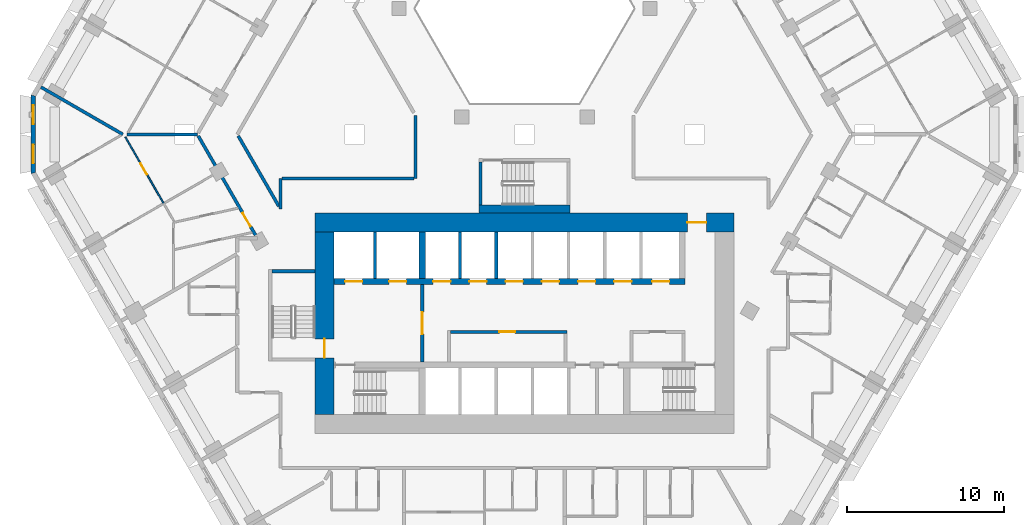
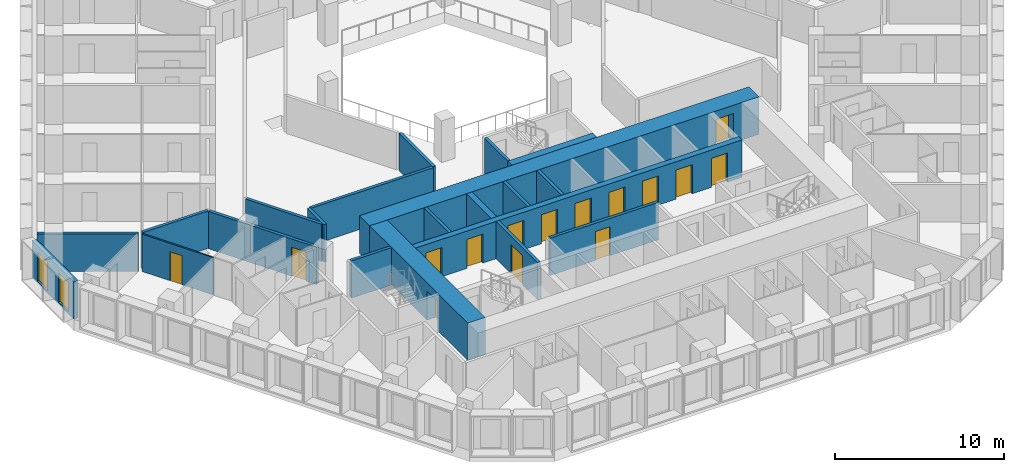
# One storey, part 5 of 21: 21 walls, 15 doors, 2 windows, 17 openings.
"""IFC4 building model written with IfcOpenShell, lengths in metres."""

from ifc_helpers import new_model, si_unit, direction, frame, frame_2d, origin, place, context, subcontext, project, spatial, polyline, rectangle, outline, extrude, material, layer, layer_set, type_object, element, fill, save


model = new_model("IFC4")

# Units and contexts
model_context = context("Model", 3, precision=1e-05, world=origin(), true_north=direction((0.0, 1.0)))
body_context = subcontext(model_context, "Body", "Model", "MODEL_VIEW")
ifc_project = project(units=[si_unit("LENGTHUNIT", "METRE"), si_unit("AREAUNIT", "SQUARE_METRE"), si_unit("VOLUMEUNIT", "CUBIC_METRE"), si_unit("PLANEANGLEUNIT", "RADIAN"), si_unit("MASSUNIT", "GRAM", prefix="KILO")], contexts=[model_context])

# Site, building, storey
site_placement = place(None, origin())
site = spatial("IfcSite", under=ifc_project, at=site_placement, CompositionType="ELEMENT")
building_placement = place(site_placement, origin())
building = spatial("IfcBuilding", under=site, at=building_placement, Name="Beryl Residences", CompositionType="ELEMENT")
storey_placement = place(building_placement, frame((0.0, 0.0, 23.39990234375)))
storey = spatial("IfcBuildingStorey", under=building, at=storey_placement, Name="L06", CompositionType="ELEMENT", Elevation=23.39990234375)

# Wall, openings, windows
ifc_material_1 = material(Name="Composite metal panel with mineral wool insulation")
ifc_layer_1 = layer(ifc_material_1, 0.300048828125)
ifc_layer_set_1 = layer_set([ifc_layer_1], Name="ES1 pale metal composite panel wall 300 mm")
wall_type_1 = type_object("IfcWallType", Name="ES1 pale metal composite panel wall 300 mm", PredefinedType="SOLIDWALL", material=ifc_layer_set_1)
wall_1_placement = place(storey_placement, frame((-31.199951171875, 2.5, 0.0), z_axis=(0.0, 0.0, 1.0), x_axis=(0.0, -1.0, 0.0)))
wall_1 = element("IfcWall", 1, at=wall_1_placement, inside=storey, type_object=wall_type_1, Name="ES1 external wall L06 NW-SW", PredefinedType="SOLIDWALL", context=body_context, shape_type="SweptSolid", body=[
    extrude(outline(polyline([(0.0, -0.14990234375), (5.0, -0.14990234375), (4.919677734375, 0.14990234375), (0.080322265625, 0.14990234375), (0.0, -0.14990234375)])), origin(), (0.0, 0.0, 1.0), 2.7001953125),
])
opening_1_placement = place(wall_1_placement, frame((0.64990234375, 0.0, 0.14990234375)))
opening_1 = element("IfcOpeningElement", 2, at=opening_1_placement, cuts=wall_1, Name="Opening W2", PredefinedType="OPENING", context=body_context, shape_type="SweptSolid", body=[
    extrude(rectangle(XDim=1.199951171875, YDim=2.10009765625, at=frame_2d((0.60009765625, 1.050048828125))), frame((0.0, 0.159912109375, 0.0), z_axis=(0.0, -1.0, 0.0), x_axis=(1.0, 0.0, 0.0)), (0.0, 0.0, 1.0), 0.320068359375),
])
opening_2_placement = place(wall_1_placement, frame((3.14990234375, 0.0, 0.14990234375)))
opening_2 = element("IfcOpeningElement", 3, at=opening_2_placement, cuts=wall_1, Name="Opening W2", PredefinedType="OPENING", context=body_context, shape_type="SweptSolid", body=[
    extrude(rectangle(XDim=1.199951171875, YDim=2.10009765625, at=frame_2d((0.60009765625, 1.050048828125))), frame((0.0, 0.159912109375, 0.0), z_axis=(0.0, -1.0, 0.0), x_axis=(1.0, 0.0, 0.0)), (0.0, 0.0, 1.0), 0.320068359375),
])
ifc_material_2 = material(Name="Aluminium and clear glass", Category="aluminium")
window_type = type_object("IfcWindowType", Name="W2 chamfer window 1200 x 2100 mm", PartitioningType="SINGLE_PANEL", PredefinedType="WINDOW", material=ifc_material_2)
window_1_placement = place(opening_1_placement, origin())
window_1 = element("IfcWindow", 4, at=window_1_placement, inside=storey, type_object=window_type, Name="W2 window L06 NW-SW 1", OverallHeight=2.10009765625, OverallWidth=1.199951171875, PartitioningType="SINGLE_PANEL", PredefinedType="WINDOW", context=body_context, shape_type="SweptSolid", body=[
    extrude(rectangle(XDim=1.199951171875, YDim=2.10009765625, at=frame_2d((0.60009765625, 1.050048828125))), frame((0.0, 0.030029296875, 0.0), z_axis=(0.0, -1.0, 0.0), x_axis=(1.0, 0.0, 0.0)), (0.0, 0.0, 1.0), 0.06005859375),
])
fill(opening_1, window_1)
window_2_placement = place(opening_2_placement, origin())
window_2 = element("IfcWindow", 5, at=window_2_placement, inside=storey, type_object=window_type, Name="W2 window L06 NW-SW 2", OverallHeight=2.10009765625, OverallWidth=1.199951171875, PartitioningType="SINGLE_PANEL", PredefinedType="WINDOW", context=body_context, shape_type="SweptSolid", body=[
    extrude(rectangle(XDim=1.199951171875, YDim=2.10009765625, at=frame_2d((0.60009765625, 1.050048828125))), frame((0.0, 0.030029296875, 0.0), z_axis=(0.0, -1.0, 0.0), x_axis=(1.0, 0.0, 0.0)), (0.0, 0.0, 1.0), 0.06005859375),
])
fill(opening_2, window_2)

# Wall, opening, door
ifc_material_3 = material(Name="Gypsum board partition on steel studs", Category="steel")
ifc_layer_2 = layer(ifc_material_3, 0.10009765625)
ifc_layer_set_2 = layer_set([ifc_layer_2], Name="PT1 partition 100 mm gypsum board on steel studs")
wall_type_2 = type_object("IfcWallType", Name="PT1 partition 100 mm gypsum board on steel studs", PredefinedType="PARTITIONING", material=ifc_layer_set_2)
wall_2_placement = place(storey_placement, frame((-25.35791015625, -0.174072265625, 0.0), z_axis=(0.0, 0.0, 1.0), x_axis=(0.500093956194, -0.865971151354, 0.0)))
wall_2 = element("IfcWall", 6, at=wall_2_placement, inside=storey, type_object=wall_type_2, Name="Wall PT1 L06 002", PredefinedType="PARTITIONING", context=body_context, shape_type="SweptSolid", body=[
    extrude(rectangle(XDim=4.873046875, YDim=0.10009765625, at=frame_2d((2.4365234375, 0.0))), origin(), (0.0, 0.0, 1.0), 2.7001953125),
])
opening_3_placement = place(wall_2_placement, frame((1.93701171875, 0.0, 0.0)))
opening_3 = element("IfcOpeningElement", 7, at=opening_3_placement, cuts=wall_2, Name="Opening D0175", PredefinedType="OPENING", context=body_context, shape_type="SweptSolid", body=[
    extrude(rectangle(XDim=0.800048828125, YDim=2.10009765625, at=frame_2d((0.39990234375, 1.050048828125))), frame((0.0, 0.06005859375, 0.0), z_axis=(0.0, -1.0, 0.0), x_axis=(1.0, 0.0, 0.0)), (0.0, 0.0, 1.0), 0.1201171875),
])
ifc_material_4 = material(Name="Timber door leaf", Category="wood")
door_type_1 = type_object("IfcDoorType", Name="D3 bathroom door 800 x 2100 mm", OperationType="SINGLE_SWING_LEFT", PredefinedType="DOOR", material=ifc_material_4)
door_1_placement = place(opening_3_placement, origin())
door_1 = element("IfcDoor", 8, at=door_1_placement, inside=storey, type_object=door_type_1, Name="Door D0175 L06 001", OperationType="SINGLE_SWING_LEFT", OverallHeight=2.10009765625, OverallWidth=0.800048828125, PredefinedType="DOOR", context=body_context, shape_type="SweptSolid", body=[
    extrude(rectangle(XDim=0.800048828125, YDim=2.10009765625, at=frame_2d((0.39990234375, 1.050048828125))), frame((0.0, 0.02490234375, 0.0), z_axis=(0.0, -1.0, 0.0), x_axis=(1.0, 0.0, 0.0)), (0.0, 0.0, 1.0), 0.050048828125),
])
fill(opening_3, door_1)

ifc_material_5 = material(Name="Concrete masonry", Category="masonry")
ifc_layer_3 = layer(ifc_material_5, 0.199951171875)
ifc_layer_set_3 = layer_set([ifc_layer_3], Name="PT13 lobby wall 200 mm")
wall_type_3 = type_object("IfcWallType", Name="PT13 lobby wall 200 mm", PredefinedType="PARTITIONING", material=ifc_layer_set_3)
wall_3_placement = place(storey_placement, frame((-6.5, -14.449951171875, 0.0), z_axis=(0.0, 0.0, 1.0), x_axis=(0.0, 1.0, 0.0)))
wall_3 = element("IfcWall", 9, at=wall_3_placement, inside=storey, type_object=wall_type_3, Name="Lobby wall 06", PredefinedType="PARTITIONING", context=body_context, shape_type="SweptSolid", body=[
    extrude(rectangle(XDim=4.89990234375, YDim=0.199951171875, at=frame_2d((2.449951171875, 0.0))), origin(), (0.0, 0.0, 1.0), 2.7001953125),
])
opening_4_placement = place(wall_3_placement, frame((3.14990234375, 0.0, 0.0), z_axis=(0.0, 0.0, 1.0), x_axis=(-1.0, 0.0, 0.0)))
opening_4 = element("IfcOpeningElement", 10, at=opening_4_placement, cuts=wall_3, Name="Opening FD-FFL", PredefinedType="OPENING", context=body_context, shape_type="SweptSolid", body=[
    extrude(rectangle(XDim=1.39990234375, YDim=2.10009765625, at=frame_2d((0.699951171875, 1.050048828125))), frame((0.0, 0.10986328125, 0.0), z_axis=(0.0, -1.0, 0.0), x_axis=(1.0, 0.0, 0.0)), (0.0, 0.0, 1.0), 0.219970703125),
])
ifc_material_6 = material(Name="Steel door leaf in steel frame", Category="steel")
door_type_2 = type_object("IfcDoorType", Name="D5 lobby door 1400 x 2100 mm", OperationType="DOUBLE_DOOR_SINGLE_SWING", PredefinedType="DOOR", material=ifc_material_6)
door_2_placement = place(opening_4_placement, origin())
door_2 = element("IfcDoor", 11, at=door_2_placement, inside=storey, type_object=door_type_2, Name="Door FD-FFL L06 001", OperationType="DOUBLE_DOOR_SINGLE_SWING", OverallHeight=2.10009765625, OverallWidth=1.39990234375, PredefinedType="DOOR", context=body_context, shape_type="SweptSolid", body=[
    extrude(rectangle(XDim=1.39990234375, YDim=2.10009765625, at=frame_2d((0.699951171875, 1.050048828125))), frame((0.0, 0.02490234375, 0.0), z_axis=(0.0, -1.0, 0.0), x_axis=(1.0, 0.0, 0.0)), (0.0, 0.0, 1.0), 0.050048828125),
])
fill(opening_4, door_2)

wall_4_placement = place(storey_placement, frame((-4.699951171875, -12.550048828125, 0.0), z_axis=(0.0, 0.0, 1.0), x_axis=(1.0, 0.0, 0.0)))
wall_4 = element("IfcWall", 12, at=wall_4_placement, inside=storey, type_object=wall_type_3, Name="Lobby wall 08", PredefinedType="PARTITIONING", context=body_context, shape_type="SweptSolid", body=[
    extrude(rectangle(XDim=7.39990234375, YDim=0.199951171875, at=frame_2d((3.699951171875, 0.0))), origin(), (0.0, 0.0, 1.0), 2.7001953125),
])
opening_5_placement = place(wall_4_placement, frame((4.10009765625, 0.0, 0.0), z_axis=(0.0, 0.0, 1.0), x_axis=(-1.0, 0.0, 0.0)))
opening_5 = element("IfcOpeningElement", 13, at=opening_5_placement, cuts=wall_4, Name="Opening CD-D-A1", PredefinedType="OPENING", context=body_context, shape_type="SweptSolid", body=[
    extrude(rectangle(XDim=1.0, YDim=2.10009765625, at=frame_2d((0.5, 1.050048828125))), frame((0.0, 0.10986328125, 0.0), z_axis=(0.0, -1.0, 0.0), x_axis=(1.0, 0.0, 0.0)), (0.0, 0.0, 1.0), 0.219970703125),
])
ifc_material_7 = material(Name="Steel door leaf in steel frame", Category="steel")
door_type_3 = type_object("IfcDoorType", Name="D18 service room door 1000 x 2100 mm", OperationType="SINGLE_SWING_LEFT", PredefinedType="DOOR", material=ifc_material_7)
door_3_placement = place(opening_5_placement, origin())
door_3 = element("IfcDoor", 14, at=door_3_placement, inside=storey, type_object=door_type_3, Name="Door CD-D-A1 L06 001", OperationType="SINGLE_SWING_RIGHT", OverallHeight=2.10009765625, OverallWidth=1.0, PredefinedType="DOOR", context=body_context, shape_type="SweptSolid", body=[
    extrude(rectangle(XDim=1.0, YDim=2.10009765625, at=frame_2d((0.5, 1.050048828125))), frame((0.0, 0.02490234375, 0.0), z_axis=(0.0, -1.0, 0.0), x_axis=(1.0, 0.0, 0.0)), (0.0, 0.0, 1.0), 0.050048828125),
])
fill(opening_5, door_3)

# Walls
ifc_material_8 = material(Name="Acoustic double stud gypsum board wall")
ifc_layer_4 = layer(ifc_material_8, 0.199951171875)
ifc_layer_set_4 = layer_set([ifc_layer_4], Name="PT3 party wall 200 mm acoustic double stud")
wall_type_4 = type_object("IfcWallType", Name="PT3 party wall 200 mm acoustic double stud", PredefinedType="PARTITIONING", material=ifc_layer_set_4)
wall_5_placement = place(storey_placement, frame((-30.716064453125, 2.9990234375, 0.0), z_axis=(0.0, 0.0, 1.0), x_axis=(0.866020924479, -0.500007758305, 0.0)))
element("IfcWall", 15, at=wall_5_placement, inside=storey, type_object=wall_type_4, Name="Wall PT3 L06 009", PredefinedType="PARTITIONING", context=body_context, shape_type="SweptSolid", body=[
    extrude(rectangle(XDim=6.0, YDim=0.199951171875, at=frame_2d((3.0, 0.0))), origin(), (0.0, 0.0, 1.0), 2.7001953125),
])
wall_6_placement = place(storey_placement, frame((-25.258056640625, -0.0009765625, 0.0), z_axis=(0.0, 0.0, 1.0), x_axis=(1.0, 0.0, 0.0)))
element("IfcWall", 16, at=wall_6_placement, inside=storey, type_object=wall_type_4, Name="Wall PT3 L06 013", PredefinedType="PARTITIONING", context=body_context, shape_type="SweptSolid", body=[
    extrude(rectangle(XDim=4.47412109375, YDim=0.199951171875, at=frame_2d((2.237060546875, 0.0))), origin(), (0.0, 0.0, 1.0), 2.7001953125),
])
ifc_material_9 = material(Name="Double stud gypsum board wall")
ifc_layer_5 = layer(ifc_material_9, 0.199951171875)
ifc_layer_set_5 = layer_set([ifc_layer_5], Name="PT4 corridor wall 200 mm double stud")
wall_type_5 = type_object("IfcWallType", Name="PT4 corridor wall 200 mm double stud", PredefinedType="PARTITIONING", material=ifc_layer_set_5)
wall_7_placement = place(storey_placement, frame((-18.18603515625, -0.10107421875, 0.0), z_axis=(0.0, 0.0, 1.0), x_axis=(0.499997591167, -0.86602679452, 0.0)))
element("IfcWall", 17, at=wall_7_placement, inside=storey, type_object=wall_type_5, Name="Wall PT4 L06 002", PredefinedType="PARTITIONING", context=body_context, shape_type="SweptSolid", body=[
    extrude(rectangle(XDim=5.171875, YDim=0.199951171875, at=frame_2d((2.5859375, 0.0))), origin(), (0.0, 0.0, 1.0), 2.7001953125),
])

# Wall, opening, door
wall_8_placement = place(storey_placement, frame((-20.72705078125, -0.10107421875, 0.0), z_axis=(0.0, 0.0, 1.0), x_axis=(0.500065652488, -0.865987495984, 0.0)))
wall_8 = element("IfcWall", 18, at=wall_8_placement, inside=storey, type_object=wall_type_5, Name="Wall PT4 L06 003", PredefinedType="PARTITIONING", context=body_context, shape_type="SweptSolid", body=[
    extrude(rectangle(XDim=7.38916015625, YDim=0.199951171875, at=frame_2d((3.694580078125, 0.0))), origin(), (0.0, 0.0, 1.0), 2.7001953125),
])
opening_6_placement = place(wall_8_placement, frame((5.654052734375, 0.0, 0.0)))
opening_6 = element("IfcOpeningElement", 19, at=opening_6_placement, cuts=wall_8, Name="Opening D0169", PredefinedType="OPENING", context=body_context, shape_type="SweptSolid", body=[
    extrude(rectangle(XDim=1.0, YDim=2.10009765625, at=frame_2d((0.5, 1.050048828125))), frame((0.0, 0.10986328125, 0.0), z_axis=(0.0, -1.0, 0.0), x_axis=(1.0, 0.0, 0.0)), (0.0, 0.0, 1.0), 0.219970703125),
])
ifc_material_10 = material(Name="Timber door leaf", Category="wood")
door_type_4 = type_object("IfcDoorType", Name="D1 flat entrance door 1000 x 2100 mm", OperationType="SINGLE_SWING_LEFT", PredefinedType="DOOR", material=ifc_material_10)
door_4_placement = place(opening_6_placement, origin())
door_4 = element("IfcDoor", 20, at=door_4_placement, inside=storey, type_object=door_type_4, Name="Door D0169 L06 001", OperationType="SINGLE_SWING_LEFT", OverallHeight=2.10009765625, OverallWidth=1.0, PredefinedType="DOOR", context=body_context, shape_type="SweptSolid", body=[
    extrude(rectangle(XDim=1.0, YDim=2.10009765625, at=frame_2d((0.5, 1.050048828125))), frame((0.0, 0.02490234375, 0.0), z_axis=(0.0, -1.0, 0.0), x_axis=(1.0, 0.0, 0.0)), (0.0, 0.0, 1.0), 0.050048828125),
])
fill(opening_6, door_4)

# Walls
wall_9_placement = place(storey_placement, frame((-15.39990234375, -2.800048828125, 0.0), z_axis=(0.0, 0.0, 1.0), x_axis=(1.0, 0.0, 0.0)))
element("IfcWall", 21, at=wall_9_placement, inside=storey, type_object=wall_type_5, Name="Wall PT4 L06 013", PredefinedType="PARTITIONING", context=body_context, shape_type="SweptSolid", body=[
    extrude(rectangle(XDim=8.371826171875, YDim=0.199951171875, at=frame_2d((4.18603515625, 0.0))), origin(), (0.0, 0.0, 1.0), 2.7001953125),
])
wall_10_placement = place(storey_placement, frame((-6.927978515625, -2.800048828125, 0.0), z_axis=(0.0, 0.0, 1.0), x_axis=(0.0, 1.0, 0.0)))
element("IfcWall", 22, at=wall_10_placement, inside=storey, type_object=wall_type_5, Name="Wall PT4 L06 029", PredefinedType="PARTITIONING", context=body_context, shape_type="SweptSolid", body=[
    extrude(rectangle(XDim=4.0, YDim=0.199951171875, at=frame_2d((2.0, 0.0))), origin(), (0.0, 0.0, 1.0), 2.7001953125),
])
wall_11_placement = place(storey_placement, frame((-15.5, -4.75390625, 0.0), z_axis=(0.0, 0.0, 1.0), x_axis=(0.0, 1.0, 0.0)))
element("IfcWall", 23, at=wall_11_placement, inside=storey, type_object=wall_type_5, Name="Wall PT4 L06 031", PredefinedType="PARTITIONING", context=body_context, shape_type="SweptSolid", body=[
    extrude(rectangle(XDim=1.953857421875, YDim=0.199951171875, at=frame_2d((0.97705078125, 0.0))), origin(), (0.0, 0.0, 1.0), 2.7001953125),
])
ifc_material_11 = material(Name="Concrete C40/50", Category="concrete")
ifc_layer_6 = layer(ifc_material_11, 0.199951171875)
ifc_layer_set_6 = layer_set([ifc_layer_6], Name="PT5 stair enclosure wall 200 mm reinforced concrete C40/50")
wall_type_6 = type_object("IfcWallType", Name="PT5 stair enclosure wall 200 mm reinforced concrete C40/50", PredefinedType="SOLIDWALL", material=ifc_layer_set_6)
for number, where, z_axis, x_axis, name in (
    (24, (-2.800048828125, -4.5, 0.0), (0.0, 0.0, 1.0), (0.0, 1.0, 0.0), "Wall PT5 L06 002"),
    (25, (-16.050048828125, -8.699951171875, 0.0), (0.0, 0.0, 1.0), (1.0, 0.0, 0.0), "Stair wall 03"),
):
    element("IfcWall", number, at=place(storey_placement, frame(where, z_axis=z_axis, x_axis=x_axis)), inside=storey, type_object=wall_type_6, Name=name, PredefinedType="SOLIDWALL", context=body_context, shape_type="SweptSolid", body=[
        extrude(rectangle(XDim=2.75, YDim=0.199951171875, at=frame_2d((1.375, 0.0))), origin(), (0.0, 0.0, 1.0), 2.7001953125),
    ])
ifc_material_12 = material(Name="Concrete C40/50", Category="concrete")
ifc_layer_7 = layer(ifc_material_12, 0.5)
ifc_layer_set_7 = layer_set([ifc_layer_7], Name="PT5-500 stair enclosure wall 500 mm")
wall_type_7 = type_object("IfcWallType", Name="PT5-500 stair enclosure wall 500 mm", PredefinedType="SOLIDWALL", material=ifc_layer_set_7)
wall_12_placement = place(storey_placement, frame((-2.89990234375, -4.75, 0.0), z_axis=(0.0, 0.0, 1.0), x_axis=(1.0, 0.0, 0.0)))
element("IfcWall", 26, at=wall_12_placement, inside=storey, type_object=wall_type_7, Name="Wall PT5-500 L06 001", PredefinedType="SOLIDWALL", context=body_context, shape_type="SweptSolid", body=[
    extrude(rectangle(XDim=5.7998046875, YDim=0.5, at=frame_2d((2.89990234375, 0.0))), origin(), (0.0, 0.0, 1.0), 2.7001953125),
])
ifc_material_13 = material(Name="Concrete C40/50", Category="concrete")
ifc_layer_8 = layer(ifc_material_13, 0.199951171875)
ifc_layer_set_8 = layer_set([ifc_layer_8], Name="PT6 lift shaft wall 200 mm reinforced concrete C40/50")
wall_type_8 = type_object("IfcWallType", Name="PT6 lift shaft wall 200 mm reinforced concrete C40/50", PredefinedType="SOLIDWALL", material=ifc_layer_set_8)
for number, where, z_axis, x_axis, name in (
    (27, (-9.5, -9.14990234375, 0.0), (0.0, 0.0, 1.0), (0.0, 1.0, 0.0), "Lift shaft wall 05"),
    (28, (-4.10009765625, -9.14990234375, 0.0), (0.0, 0.0, 1.0), (0.0, 1.0, 0.0), "Lift shaft wall 10"),
    (29, (-1.800048828125, -9.14990234375, 0.0), (0.0, 0.0, 1.0), (0.0, 1.0, 0.0), "Lift shaft wall 12"),
):
    element("IfcWall", number, at=place(storey_placement, frame(where, z_axis=z_axis, x_axis=x_axis)), inside=storey, type_object=wall_type_8, Name=name, PredefinedType="SOLIDWALL", context=body_context, shape_type="SweptSolid", body=[
        extrude(rectangle(XDim=2.949951171875, YDim=0.199951171875, at=frame_2d((1.47509765625, 0.0))), origin(), (0.0, 0.0, 1.0), 2.7001953125),
    ])

# Wall, opening, door
ifc_material_14 = material(Name="Concrete C80/95", Category="concrete")
ifc_layer_9 = layer(ifc_material_14, 1.199951171875)
ifc_layer_set_9 = layer_set([ifc_layer_9], Name="SW1 core outer wall 1200 mm C80/95")
wall_type_9 = type_object("IfcWallType", Name="SW1 core outer wall 1200 mm C80/95", PredefinedType="SHEAR", material=ifc_layer_set_9)
wall_13_placement = place(storey_placement, frame((-13.300048828125, -5.60009765625, 0.0), z_axis=(0.0, 0.0, 1.0), x_axis=(1.0, 0.0, 0.0)))
wall_13 = element("IfcWall", 30, at=wall_13_placement, inside=storey, type_object=wall_type_9, Name="Core wall N L06", PredefinedType="SHEAR", context=body_context, shape_type="SweptSolid", body=[
    extrude(rectangle(XDim=26.60009765625, YDim=1.199951171875, at=frame_2d((13.300048828125, 0.0))), origin(), (0.0, 0.0, 1.0), 2.7001953125),
])
opening_7_placement = place(wall_13_placement, frame((23.64990234375, 0.0, 0.0)))
opening_7 = element("IfcOpeningElement", 31, at=opening_7_placement, cuts=wall_13, Name="Opening FD-NORTH", PredefinedType="OPENING", context=body_context, shape_type="SweptSolid", body=[
    extrude(rectangle(XDim=1.199951171875, YDim=2.10009765625, at=frame_2d((0.60009765625, 1.050048828125))), frame((0.0, 0.60986328125, 0.0), z_axis=(0.0, -1.0, 0.0), x_axis=(1.0, 0.0, 0.0)), (0.0, 0.0, 1.0), 1.219970703125),
])
ifc_material_15 = material(Name="Steel door leaf in steel frame", Category="steel")
door_type_5 = type_object("IfcDoorType", Name="D22 lobby door 1200 x 2100 mm", OperationType="DOUBLE_DOOR_SINGLE_SWING", PredefinedType="DOOR", material=ifc_material_15)
door_5_placement = place(opening_7_placement, origin())
door_5 = element("IfcDoor", 32, at=door_5_placement, inside=storey, type_object=door_type_5, Name="Door FD-NORTH L06 001", OperationType="DOUBLE_DOOR_SINGLE_SWING", OverallHeight=2.10009765625, OverallWidth=1.199951171875, PredefinedType="DOOR", context=body_context, shape_type="SweptSolid", body=[
    extrude(rectangle(XDim=1.199951171875, YDim=2.10009765625, at=frame_2d((0.60009765625, 1.050048828125))), frame((0.0, 0.02490234375, 0.0), z_axis=(0.0, -1.0, 0.0), x_axis=(1.0, 0.0, 0.0)), (0.0, 0.0, 1.0), 0.050048828125),
])
fill(opening_7, door_5)

wall_14_placement = place(storey_placement, frame((-12.699951171875, -17.800048828125, 0.0), z_axis=(0.0, 0.0, 1.0), x_axis=(0.0, 1.0, 0.0)))
wall_14 = element("IfcWall", 33, at=wall_14_placement, inside=storey, type_object=wall_type_9, Name="Core wall W L06", PredefinedType="SHEAR", context=body_context, shape_type="SweptSolid", body=[
    extrude(rectangle(XDim=11.60009765625, YDim=1.199951171875, at=frame_2d((5.800048828125, 0.0))), origin(), (0.0, 0.0, 1.0), 2.7001953125),
])
opening_8_placement = place(wall_14_placement, frame((3.60009765625, 0.0, 0.0)))
opening_8 = element("IfcOpeningElement", 34, at=opening_8_placement, cuts=wall_14, Name="Opening SD-2", PredefinedType="OPENING", context=body_context, shape_type="SweptSolid", body=[
    extrude(rectangle(XDim=1.199951171875, YDim=2.10009765625, at=frame_2d((0.60009765625, 1.050048828125))), frame((0.0, 0.60986328125, 0.0), z_axis=(0.0, -1.0, 0.0), x_axis=(1.0, 0.0, 0.0)), (0.0, 0.0, 1.0), 1.219970703125),
])
ifc_material_16 = material(Name="Steel door leaf in steel frame", Category="steel")
door_type_6 = type_object("IfcDoorType", Name="D4 stair door 1200 x 2100 mm", OperationType="SINGLE_SWING_LEFT", PredefinedType="DOOR", material=ifc_material_16)
door_6_placement = place(opening_8_placement, origin())
door_6 = element("IfcDoor", 35, at=door_6_placement, inside=storey, type_object=door_type_6, Name="Door SD-2 L06 001", OperationType="SINGLE_SWING_RIGHT", OverallHeight=2.10009765625, OverallWidth=1.199951171875, PredefinedType="DOOR", context=body_context, shape_type="SweptSolid", body=[
    extrude(rectangle(XDim=1.199951171875, YDim=2.10009765625, at=frame_2d((0.60009765625, 1.050048828125))), frame((0.0, 0.02490234375, 0.0), z_axis=(0.0, -1.0, 0.0), x_axis=(1.0, 0.0, 0.0)), (0.0, 0.0, 1.0), 0.050048828125),
])
fill(opening_8, door_6)

# Wall, openings, doors
ifc_material_17 = material(Name="Concrete C80/95", Category="concrete")
ifc_layer_10 = layer(ifc_material_17, 0.39990234375)
ifc_layer_set_10 = layer_set([ifc_layer_10], Name="SW6 core internal wall 400 mm C80/95")
wall_type_10 = type_object("IfcWallType", Name="SW6 core internal wall 400 mm C80/95", PredefinedType="SHEAR", material=ifc_layer_set_10)
wall_15_placement = place(storey_placement, frame((-12.10009765625, -9.35009765625, 0.0), z_axis=(0.0, 0.0, 1.0), x_axis=(1.0, 0.0, 0.0)))
wall_15 = element("IfcWall", 36, at=wall_15_placement, inside=storey, type_object=wall_type_10, Name="Core wall SP2 L06", PredefinedType="SHEAR", context=body_context, shape_type="SweptSolid", body=[
    extrude(rectangle(XDim=22.300048828125, YDim=0.39990234375, at=frame_2d((11.14990234375, 0.0))), origin(), (0.0, 0.0, 1.0), 2.7001953125),
])
opening_9_placement = place(wall_15_placement, frame((0.699951171875, 0.0, 0.0)))
opening_9 = element("IfcOpeningElement", 37, at=opening_9_placement, cuts=wall_15, Name="Opening LD-FF1", PredefinedType="OPENING", context=body_context, shape_type="SweptSolid", body=[
    extrude(rectangle(XDim=1.10009765625, YDim=2.10009765625, at=frame_2d((0.550048828125, 1.050048828125))), frame((0.0, 0.2099609375, 0.0), z_axis=(0.0, -1.0, 0.0), x_axis=(1.0, 0.0, 0.0)), (0.0, 0.0, 1.0), 0.419921875),
])
opening_10_placement = place(wall_15_placement, frame((3.5, 0.0, 0.0)))
opening_10 = element("IfcOpeningElement", 38, at=opening_10_placement, cuts=wall_15, Name="Opening LD-FF2", PredefinedType="OPENING", context=body_context, shape_type="SweptSolid", body=[
    extrude(rectangle(XDim=1.10009765625, YDim=2.10009765625, at=frame_2d((0.550048828125, 1.050048828125))), frame((0.0, 0.2099609375, 0.0), z_axis=(0.0, -1.0, 0.0), x_axis=(1.0, 0.0, 0.0)), (0.0, 0.0, 1.0), 0.419921875),
])
opening_11_placement = place(wall_15_placement, frame((6.300048828125, 0.0, 0.0)))
opening_11 = element("IfcOpeningElement", 39, at=opening_11_placement, cuts=wall_15, Name="Opening LD-LR1", PredefinedType="OPENING", context=body_context, shape_type="SweptSolid", body=[
    extrude(rectangle(XDim=1.10009765625, YDim=2.10009765625, at=frame_2d((0.550048828125, 1.050048828125))), frame((0.0, 0.2099609375, 0.0), z_axis=(0.0, -1.0, 0.0), x_axis=(1.0, 0.0, 0.0)), (0.0, 0.0, 1.0), 0.419921875),
])
opening_12_placement = place(wall_15_placement, frame((8.60009765625, 0.0, 0.0)))
opening_12 = element("IfcOpeningElement", 40, at=opening_12_placement, cuts=wall_15, Name="Opening LD-LR2", PredefinedType="OPENING", context=body_context, shape_type="SweptSolid", body=[
    extrude(rectangle(XDim=1.10009765625, YDim=2.10009765625, at=frame_2d((0.550048828125, 1.050048828125))), frame((0.0, 0.2099609375, 0.0), z_axis=(0.0, -1.0, 0.0), x_axis=(1.0, 0.0, 0.0)), (0.0, 0.0, 1.0), 0.419921875),
])
opening_13_placement = place(wall_15_placement, frame((10.89990234375, 0.0, 0.0)))
opening_13 = element("IfcOpeningElement", 41, at=opening_13_placement, cuts=wall_15, Name="Opening LD-LR3", PredefinedType="OPENING", context=body_context, shape_type="SweptSolid", body=[
    extrude(rectangle(XDim=1.10009765625, YDim=2.10009765625, at=frame_2d((0.550048828125, 1.050048828125))), frame((0.0, 0.2099609375, 0.0), z_axis=(0.0, -1.0, 0.0), x_axis=(1.0, 0.0, 0.0)), (0.0, 0.0, 1.0), 0.419921875),
])
opening_14_placement = place(wall_15_placement, frame((13.199951171875, 0.0, 0.0)))
opening_14 = element("IfcOpeningElement", 42, at=opening_14_placement, cuts=wall_15, Name="Opening LD-LR4", PredefinedType="OPENING", context=body_context, shape_type="SweptSolid", body=[
    extrude(rectangle(XDim=1.10009765625, YDim=2.10009765625, at=frame_2d((0.550048828125, 1.050048828125))), frame((0.0, 0.2099609375, 0.0), z_axis=(0.0, -1.0, 0.0), x_axis=(1.0, 0.0, 0.0)), (0.0, 0.0, 1.0), 0.419921875),
])
opening_15_placement = place(wall_15_placement, frame((15.5, 0.0, 0.0)))
opening_15 = element("IfcOpeningElement", 43, at=opening_15_placement, cuts=wall_15, Name="Opening LD-LR5", PredefinedType="OPENING", context=body_context, shape_type="SweptSolid", body=[
    extrude(rectangle(XDim=1.10009765625, YDim=2.10009765625, at=frame_2d((0.550048828125, 1.050048828125))), frame((0.0, 0.2099609375, 0.0), z_axis=(0.0, -1.0, 0.0), x_axis=(1.0, 0.0, 0.0)), (0.0, 0.0, 1.0), 0.419921875),
])
opening_16_placement = place(wall_15_placement, frame((17.800048828125, 0.0, 0.0)))
opening_16 = element("IfcOpeningElement", 44, at=opening_16_placement, cuts=wall_15, Name="Opening LD-LR6", PredefinedType="OPENING", context=body_context, shape_type="SweptSolid", body=[
    extrude(rectangle(XDim=1.10009765625, YDim=2.10009765625, at=frame_2d((0.550048828125, 1.050048828125))), frame((0.0, 0.2099609375, 0.0), z_axis=(0.0, -1.0, 0.0), x_axis=(1.0, 0.0, 0.0)), (0.0, 0.0, 1.0), 0.419921875),
])
opening_17_placement = place(wall_15_placement, frame((20.199951171875, 0.0, 0.0)))
opening_17 = element("IfcOpeningElement", 45, at=opening_17_placement, cuts=wall_15, Name="Opening LD-SL1", PredefinedType="OPENING", context=body_context, shape_type="SweptSolid", body=[
    extrude(rectangle(XDim=1.10009765625, YDim=2.10009765625, at=frame_2d((0.550048828125, 1.050048828125))), frame((0.0, 0.2099609375, 0.0), z_axis=(0.0, -1.0, 0.0), x_axis=(1.0, 0.0, 0.0)), (0.0, 0.0, 1.0), 0.419921875),
])
ifc_material_18 = material(Name="Stainless steel sliding door", Category="steel")
door_type_7 = type_object("IfcDoorType", Name="LD1 lift landing door 1100 x 2100 mm", OperationType="DOUBLE_DOOR_SLIDING", PredefinedType="DOOR", material=ifc_material_18)
door_7_placement = place(opening_9_placement, origin())
door_7 = element("IfcDoor", 46, at=door_7_placement, inside=storey, type_object=door_type_7, Name="Lift landing door FF1", OperationType="DOUBLE_DOOR_SLIDING", OverallHeight=2.10009765625, OverallWidth=1.10009765625, PredefinedType="DOOR", context=body_context, shape_type="SweptSolid", body=[
    extrude(rectangle(XDim=1.10009765625, YDim=2.10009765625, at=frame_2d((0.550048828125, 1.050048828125))), frame((0.0, 0.02490234375, 0.0), z_axis=(0.0, -1.0, 0.0), x_axis=(1.0, 0.0, 0.0)), (0.0, 0.0, 1.0), 0.050048828125),
])
fill(opening_9, door_7)
door_8_placement = place(opening_10_placement, origin())
door_8 = element("IfcDoor", 47, at=door_8_placement, inside=storey, type_object=door_type_7, Name="Lift landing door FF2", OperationType="DOUBLE_DOOR_SLIDING", OverallHeight=2.10009765625, OverallWidth=1.10009765625, PredefinedType="DOOR", context=body_context, shape_type="SweptSolid", body=[
    extrude(rectangle(XDim=1.10009765625, YDim=2.10009765625, at=frame_2d((0.550048828125, 1.050048828125))), frame((0.0, 0.02490234375, 0.0), z_axis=(0.0, -1.0, 0.0), x_axis=(1.0, 0.0, 0.0)), (0.0, 0.0, 1.0), 0.050048828125),
])
fill(opening_10, door_8)
door_9_placement = place(opening_11_placement, origin())
door_9 = element("IfcDoor", 48, at=door_9_placement, inside=storey, type_object=door_type_7, Name="Lift landing door LR1", OperationType="DOUBLE_DOOR_SLIDING", OverallHeight=2.10009765625, OverallWidth=1.10009765625, PredefinedType="DOOR", context=body_context, shape_type="SweptSolid", body=[
    extrude(rectangle(XDim=1.10009765625, YDim=2.10009765625, at=frame_2d((0.550048828125, 1.050048828125))), frame((0.0, 0.02490234375, 0.0), z_axis=(0.0, -1.0, 0.0), x_axis=(1.0, 0.0, 0.0)), (0.0, 0.0, 1.0), 0.050048828125),
])
fill(opening_11, door_9)
door_10_placement = place(opening_12_placement, origin())
door_10 = element("IfcDoor", 49, at=door_10_placement, inside=storey, type_object=door_type_7, Name="Lift landing door LR2", OperationType="DOUBLE_DOOR_SLIDING", OverallHeight=2.10009765625, OverallWidth=1.10009765625, PredefinedType="DOOR", context=body_context, shape_type="SweptSolid", body=[
    extrude(rectangle(XDim=1.10009765625, YDim=2.10009765625, at=frame_2d((0.550048828125, 1.050048828125))), frame((0.0, 0.02490234375, 0.0), z_axis=(0.0, -1.0, 0.0), x_axis=(1.0, 0.0, 0.0)), (0.0, 0.0, 1.0), 0.050048828125),
])
fill(opening_12, door_10)
door_11_placement = place(opening_13_placement, origin())
door_11 = element("IfcDoor", 50, at=door_11_placement, inside=storey, type_object=door_type_7, Name="Lift landing door LR3", OperationType="DOUBLE_DOOR_SLIDING", OverallHeight=2.10009765625, OverallWidth=1.10009765625, PredefinedType="DOOR", context=body_context, shape_type="SweptSolid", body=[
    extrude(rectangle(XDim=1.10009765625, YDim=2.10009765625, at=frame_2d((0.550048828125, 1.050048828125))), frame((0.0, 0.02490234375, 0.0), z_axis=(0.0, -1.0, 0.0), x_axis=(1.0, 0.0, 0.0)), (0.0, 0.0, 1.0), 0.050048828125),
])
fill(opening_13, door_11)
door_12_placement = place(opening_14_placement, origin())
door_12 = element("IfcDoor", 51, at=door_12_placement, inside=storey, type_object=door_type_7, Name="Lift landing door LR4", OperationType="DOUBLE_DOOR_SLIDING", OverallHeight=2.10009765625, OverallWidth=1.10009765625, PredefinedType="DOOR", context=body_context, shape_type="SweptSolid", body=[
    extrude(rectangle(XDim=1.10009765625, YDim=2.10009765625, at=frame_2d((0.550048828125, 1.050048828125))), frame((0.0, 0.02490234375, 0.0), z_axis=(0.0, -1.0, 0.0), x_axis=(1.0, 0.0, 0.0)), (0.0, 0.0, 1.0), 0.050048828125),
])
fill(opening_14, door_12)
door_13_placement = place(opening_15_placement, origin())
door_13 = element("IfcDoor", 52, at=door_13_placement, inside=storey, type_object=door_type_7, Name="Lift landing door LR5", OperationType="DOUBLE_DOOR_SLIDING", OverallHeight=2.10009765625, OverallWidth=1.10009765625, PredefinedType="DOOR", context=body_context, shape_type="SweptSolid", body=[
    extrude(rectangle(XDim=1.10009765625, YDim=2.10009765625, at=frame_2d((0.550048828125, 1.050048828125))), frame((0.0, 0.02490234375, 0.0), z_axis=(0.0, -1.0, 0.0), x_axis=(1.0, 0.0, 0.0)), (0.0, 0.0, 1.0), 0.050048828125),
])
fill(opening_15, door_13)
door_14_placement = place(opening_16_placement, origin())
door_14 = element("IfcDoor", 53, at=door_14_placement, inside=storey, type_object=door_type_7, Name="Lift landing door LR6", OperationType="DOUBLE_DOOR_SLIDING", OverallHeight=2.10009765625, OverallWidth=1.10009765625, PredefinedType="DOOR", context=body_context, shape_type="SweptSolid", body=[
    extrude(rectangle(XDim=1.10009765625, YDim=2.10009765625, at=frame_2d((0.550048828125, 1.050048828125))), frame((0.0, 0.02490234375, 0.0), z_axis=(0.0, -1.0, 0.0), x_axis=(1.0, 0.0, 0.0)), (0.0, 0.0, 1.0), 0.050048828125),
])
fill(opening_16, door_14)
door_15_placement = place(opening_17_placement, origin())
door_15 = element("IfcDoor", 54, at=door_15_placement, inside=storey, type_object=door_type_7, Name="Lift landing door SL1", OperationType="DOUBLE_DOOR_SLIDING", OverallHeight=2.10009765625, OverallWidth=1.10009765625, PredefinedType="DOOR", context=body_context, shape_type="SweptSolid", body=[
    extrude(rectangle(XDim=1.10009765625, YDim=2.10009765625, at=frame_2d((0.550048828125, 1.050048828125))), frame((0.0, 0.02490234375, 0.0), z_axis=(0.0, -1.0, 0.0), x_axis=(1.0, 0.0, 0.0)), (0.0, 0.0, 1.0), 0.050048828125),
])
fill(opening_17, door_15)

# Wall
wall_16_placement = place(storey_placement, frame((-6.5, -9.14990234375, 0.0), z_axis=(0.0, 0.0, 1.0), x_axis=(0.0, 1.0, 0.0)))
element("IfcWall", 55, at=wall_16_placement, inside=storey, type_object=wall_type_10, Name="Core wall XN1 L06", PredefinedType="SHEAR", context=body_context, shape_type="SweptSolid", body=[
    extrude(rectangle(XDim=2.949951171875, YDim=0.39990234375, at=frame_2d((1.47509765625, 0.0))), origin(), (0.0, 0.0, 1.0), 2.7001953125),
])

save(model, "model.ifc")
